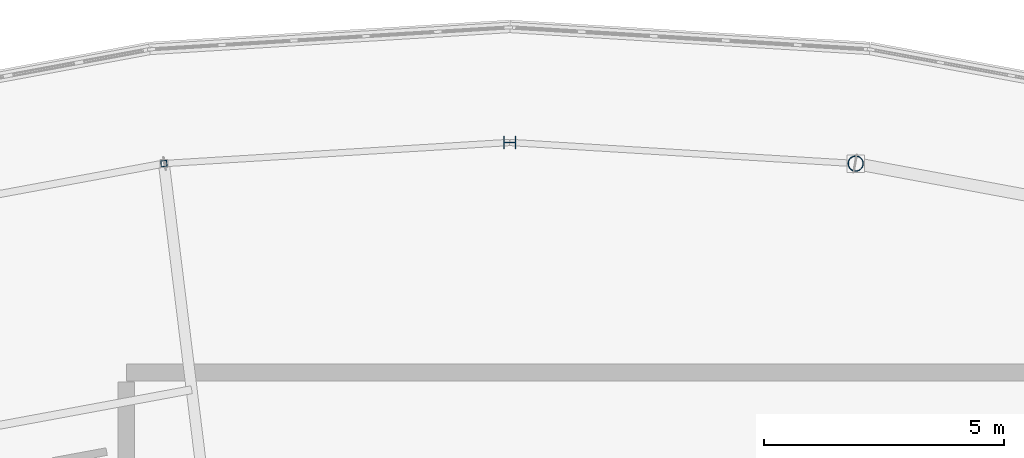
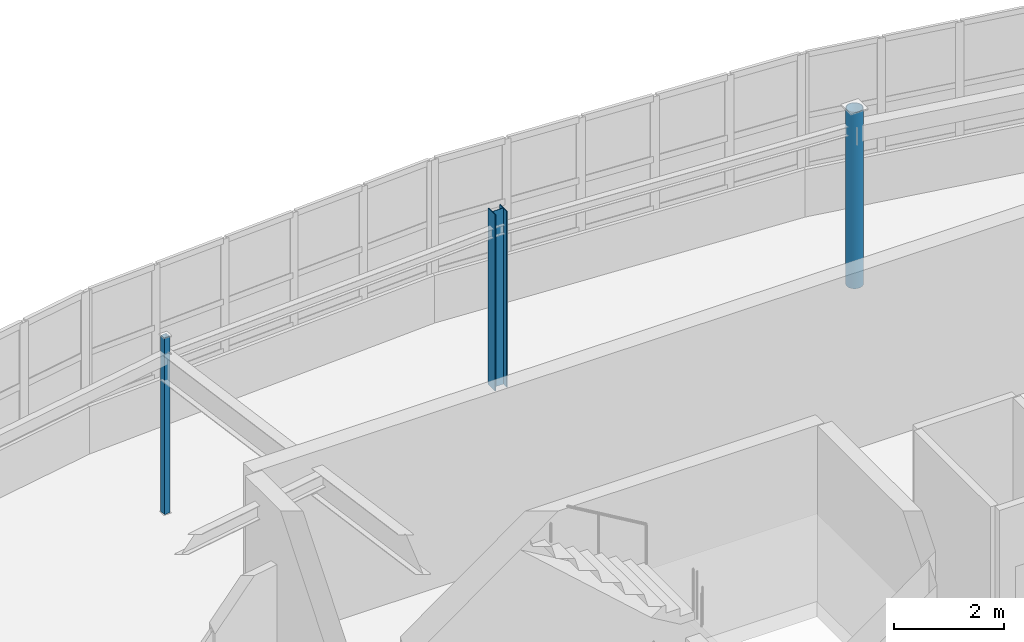
# One storey, part 10 of 65: 3 columns.
"""IFC4 building model written with IfcOpenShell, lengths in metres."""

import ifcopenshell
import ifcopenshell.guid

model = None  # the IFC model being written
_history = None  # IfcOwnerHistory: only IFC2X3 demands one
_inside = {}  # id of a spatial element -> (the spatial element, [elements in it])
_under = {}  # id of a project, library or spatial element -> (it, [spatial elements below it])
_declared = {}  # id of a project -> (the project, [libraries it declares])
_typed = {}  # id of a type object -> (the type object, [elements of that type])
_made_of = {}  # id of a material, layer set ... -> (it, [elements and type objects made of it])


def new_model(schema):
    """Start an empty IFC model of exactly this schema.

    Asked for "IFC4X3", IfcOpenShell would pick the latest addendum, in which some entities
    have other attributes; the version numbers below select the first issue.
    IFC2X3 requires an IfcOwnerHistory on every rooted entity: one is made here for all.
    """
    global model, _history
    if schema == "IFC4X3":
        model = ifcopenshell.file(schema_version=(4, 3, 0, 0))
    else:
        model = ifcopenshell.file(schema=schema)
    _inside.clear()
    _under.clear()
    _declared.clear()
    _typed.clear()
    _made_of.clear()
    _history = None
    if model.schema == "IFC2X3":
        org = make("IfcOrganization", Name="unknown")
        user = make(
            "IfcPersonAndOrganization",
            ThePerson=make("IfcPerson", FamilyName="unknown"),
            TheOrganization=org,
        )
        app = make(
            "IfcApplication",
            ApplicationDeveloper=org,
            Version="unknown",
            ApplicationFullName="unknown",
            ApplicationIdentifier="unknown",
        )
        _history = make(
            "IfcOwnerHistory",
            OwningUser=user,
            OwningApplication=app,
            ChangeAction="ADDED",
            CreationDate=0,
        )
    return model


def make(cls, **values):
    """One entity of the class cls with the attributes given. An attribute that is None is left unset."""
    return model.create_entity(
        cls, **{name: value for name, value in values.items() if value is not None}
    )


def rooted(cls, **values):
    """An entity with a GlobalId (a new one), such as an element, a storey or a relation."""
    return make(cls, GlobalId=ifcopenshell.guid.new(), OwnerHistory=_history, **values)


def si_unit(unit_type, name, prefix=None):
    """IfcSIUnit, for example si_unit("LENGTHUNIT", "METRE", prefix="MILLI")."""
    return make("IfcSIUnit", UnitType=unit_type, Prefix=prefix, Name=name)


def assignment(units):
    """IfcUnitAssignment: the units of a project."""
    return None if units is None else make("IfcUnitAssignment", Units=units)


def point(xyz):
    """IfcCartesianPoint."""
    return None if xyz is None else make("IfcCartesianPoint", Coordinates=xyz)


def direction(xyz):
    """IfcDirection."""
    return None if xyz is None else make("IfcDirection", DirectionRatios=xyz)


def frame(location, z_axis=None, x_axis=None):
    """IfcAxis2Placement3D, a coordinate frame: its origin and axes. An axis left out is left unset."""
    return make(
        "IfcAxis2Placement3D",
        Location=point(location),
        Axis=direction(z_axis),
        RefDirection=direction(x_axis),
    )


def frame_2d(location, x_axis=None):
    """IfcAxis2Placement2D, a coordinate frame in the plane: its origin and x axis."""
    return make(
        "IfcAxis2Placement2D", Location=point(location), RefDirection=direction(x_axis)
    )


def origin():
    """The frame at (0, 0, 0) with its axes left unset."""
    return frame((0.0, 0.0, 0.0))


def origin_2d():
    """The frame at (0, 0) in the plane with its x axis left unset."""
    return frame_2d((0.0, 0.0))


def place(relative_to, where):
    """IfcLocalPlacement: puts the frame where relative to a parent placement (None: the world)."""
    return make(
        "IfcLocalPlacement", PlacementRelTo=relative_to, RelativePlacement=where
    )


def context(
    kind, dimensions, precision=None, world=None, true_north=None, identifier=None
):
    """IfcGeometricRepresentationContext, for example the 3D "Model" context."""
    return make(
        "IfcGeometricRepresentationContext",
        ContextIdentifier=identifier,
        ContextType=kind,
        CoordinateSpaceDimension=dimensions,
        Precision=precision,
        WorldCoordinateSystem=world,
        TrueNorth=true_north,
    )


def subcontext(parent, identifier, kind, view, scale=None):
    """IfcGeometricRepresentationSubContext, for example "Body" below "Model"."""
    return make(
        "IfcGeometricRepresentationSubContext",
        ContextIdentifier=identifier,
        ContextType=kind,
        ParentContext=parent,
        TargetScale=scale,
        TargetView=view,
    )


def project(units=None, contexts=None):
    """IfcProject with its units and contexts."""
    return rooted(
        "IfcProject",
        Name="project",
        RepresentationContexts=contexts,
        UnitsInContext=assignment(units),
    )


def spatial(cls, under=None, at=None, **own):
    """A site, building, storey or space (cls), placed at a placement, below another one or the project."""
    s = rooted(cls, ObjectPlacement=at, **own)
    if under is not None:
        _under.setdefault(under.id(), (under, []))[1].append(s)
    return s


def profile(cls, at=None, kind="AREA", **sizes):
    """A parametric profile (cls). Its sizes go by their IFC names, for example OverallWidth=200.0."""
    return make(cls, ProfileType=kind, Position=at, **sizes)


def hollow_rectangle(**sizes):
    """IfcRectangleHollowProfileDef."""
    return profile("IfcRectangleHollowProfileDef", **sizes)


def hollow_circle(**sizes):
    """IfcCircleHollowProfileDef."""
    return profile("IfcCircleHollowProfileDef", **sizes)


def i_section(**sizes):
    """IfcIShapeProfileDef."""
    return profile("IfcIShapeProfileDef", **sizes)


def extrude(swept, where, along, depth):
    """IfcExtrudedAreaSolid: the profile swept, set in the frame where, extruded along a direction by depth."""
    return make(
        "IfcExtrudedAreaSolid",
        SweptArea=swept,
        Position=where,
        ExtrudedDirection=direction(along),
        Depth=depth,
    )


def shape(context_of_items, identifier, shape_type, items):
    """IfcShapeRepresentation: the items that make up one representation, for example the "Body"."""
    return make(
        "IfcShapeRepresentation",
        ContextOfItems=context_of_items,
        RepresentationIdentifier=identifier,
        RepresentationType=shape_type,
        Items=items,
    )


def material(Name=None, Category=None):
    """IfcMaterial."""
    return make("IfcMaterial", Name=Name, Category=Category)


def material_profile(
    of_material, cross_section, Name=None, Category=None, Priority=None
):
    """IfcMaterialProfile: a cross section and its material."""
    return make(
        "IfcMaterialProfile",
        Name=Name,
        Material=of_material,
        Profile=cross_section,
        Priority=Priority,
        Category=Category,
    )


def profile_set(profiles, Name=None, composite=None):
    """IfcMaterialProfileSet."""
    return make(
        "IfcMaterialProfileSet",
        Name=Name,
        MaterialProfiles=profiles,
        CompositeProfile=composite,
    )


def made_of(thing, what):
    """Note that an element or type object is made of a material, layer set ...; save() writes the relation."""
    if what is not None:
        _made_of.setdefault(what.id(), (what, []))[1].append(thing)
    return thing


def type_object(cls, material=None, **own):
    """A type object (cls), such as IfcWallType, which elements share."""
    return made_of(rooted(cls, **own), material)


def element(
    cls,
    number,
    at=None,
    inside=None,
    cuts=None,
    type_object=None,
    material=None,
    context=None,
    identifier="Body",
    shape_type=None,
    held_by="IfcProductDefinitionShape",
    body=None,
    shapes=None,
    **own,
):
    """One element of the class cls, such as IfcWall. Its Tag is "e" and its number.

    at: its placement. inside: the storey or other place that contains it. cuts: it is an
    opening in that element (IfcRelVoidsElement). A single representation is given by context,
    identifier, shape_type and body (its items); several are given by shapes. held_by: the class
    of the entity that holds the representations. save() writes the other relations.
    """
    e = rooted(cls, Tag="e%d" % number, ObjectPlacement=at, **own)
    if body is not None:
        shapes = [shape(context, identifier, shape_type, body)]
    if shapes is not None:
        e.Representation = make(held_by, Representations=shapes)
    if inside is not None:
        _inside.setdefault(inside.id(), (inside, []))[1].append(e)
    if cuts is not None:
        rooted(
            "IfcRelVoidsElement", RelatingBuildingElement=cuts, RelatedOpeningElement=e
        )
    if type_object is not None:
        _typed.setdefault(type_object.id(), (type_object, []))[1].append(e)
    return made_of(e, material)


def aggregate(whole, parts):
    """IfcRelAggregates: a whole, such as a stair, and the parts it consists of."""
    return rooted("IfcRelAggregates", RelatingObject=whole, RelatedObjects=parts)


def save(model, path):
    """Write the relations noted so far, then the file.

    IfcRelAggregates (storeys below a building ...), IfcRelContainedInSpatialStructure (elements
    in a storey), IfcRelDefinesByType, IfcRelAssociatesMaterial and IfcRelDeclares: one each for
    every whole, place, type object, material and project.
    """
    for whole, parts in _under.values():
        aggregate(whole, parts)
    for where, things in _inside.values():
        rooted(
            "IfcRelContainedInSpatialStructure",
            RelatedElements=things,
            RelatingStructure=where,
        )
    for kind, things in _typed.values():
        rooted("IfcRelDefinesByType", RelatedObjects=things, RelatingType=kind)
    for what, things in _made_of.values():
        rooted("IfcRelAssociatesMaterial", RelatedObjects=things, RelatingMaterial=what)
    for by, libraries in _declared.values():
        rooted("IfcRelDeclares", RelatingContext=by, RelatedDefinitions=libraries)
    model.write(path)


model = new_model("IFC4")

# Units and contexts
model_context = context("Model", 3, precision=1e-05, world=origin(), true_north=direction((0.0, 1.0)))
body_context = subcontext(model_context, "Body", "Model", "MODEL_VIEW")
ifc_project = project(units=[si_unit("LENGTHUNIT", "METRE"), si_unit("AREAUNIT", "SQUARE_METRE"), si_unit("VOLUMEUNIT", "CUBIC_METRE"), si_unit("PLANEANGLEUNIT", "RADIAN"), si_unit("MASSUNIT", "GRAM", prefix="KILO")], contexts=[model_context])

# Site, building, storey
site_placement = place(None, origin())
site = spatial("IfcSite", under=ifc_project, at=site_placement, CompositionType="ELEMENT")
building_placement = place(site_placement, origin())
building = spatial("IfcBuilding", under=site, at=building_placement, Name="Tarnwether General Hospital", CompositionType="ELEMENT")
storey_placement = place(building_placement, frame((0.0, 0.0, 22.199951171875)))
storey = spatial("IfcBuildingStorey", under=building, at=storey_placement, Name="L05", CompositionType="ELEMENT", Elevation=22.199951171875)

# Columns
ifc_material_1 = material(Name="Steel Grade 350 (350 MPa)", Category="steel")
ifc_material_profile_1 = material_profile(ifc_material_1, i_section(OverallWidth=0.25390625, OverallDepth=0.25390625, WebThickness=0.008544921875, FlangeThickness=0.01416015625, at=origin_2d()), Name="250UC72.9")
ifc_profile_set_1 = profile_set([ifc_material_profile_1], Name="Steel Grade 350 (350 MPa)")
column_type_1 = type_object("IfcColumnType", Name="COL-24", PredefinedType="COLUMN", material=ifc_profile_set_1)
column_1_placement = place(storey_placement, frame((92.0, 122.199951171875, 0.0), z_axis=(0.0, 0.0, 1.0), x_axis=(0.0, 1.0, 0.0)))
element("IfcColumn", 1, at=column_1_placement, inside=storey, type_object=column_type_1, Name="Column COLG-L05-9200_12220", PredefinedType="COLUMN", context=body_context, shape_type="SweptSolid", body=[
    extrude(i_section(OverallWidth=0.25390625, OverallDepth=0.25390625, WebThickness=0.008544921875, FlangeThickness=0.01416015625, at=origin_2d()), origin(), (0.0, 0.0, 1.0), 3.900146484375),
])
ifc_material_2 = material(Name="Steel Grade C350L0 (350 MPa)", Category="steel")
ifc_material_profile_2 = material_profile(ifc_material_2, hollow_circle(Radius=0.161865234375, WallThickness=0.0126953125, at=origin_2d()), Name="CHS323.9x12.7")
ifc_profile_set_2 = profile_set([ifc_material_profile_2], Name="Steel Grade C350L0 (350 MPa)")
column_type_2 = type_object("IfcColumnType", Name="COL-26", PredefinedType="COLUMN", material=ifc_profile_set_2)
column_2_placement = place(storey_placement, frame((99.215087890625, 121.759033203125, 0.0), z_axis=(0.0, 0.0, 1.0), x_axis=(0.121869343405, 0.992546151641, 0.0)))
element("IfcColumn", 2, at=column_2_placement, inside=storey, type_object=column_type_2, Name="Column COLG-L05-9922_12176", PredefinedType="COLUMN", context=body_context, shape_type="SweptSolid", body=[
    extrude(hollow_circle(Radius=0.161865234375, WallThickness=0.0126953125, at=origin_2d()), origin(), (0.0, 0.0, 1.0), 3.900146484375),
])
ifc_material_3 = material(Name="Steel Grade C350L0 (350 MPa)", Category="steel")
ifc_material_profile_3 = material_profile(ifc_material_3, hollow_rectangle(XDim=0.125, YDim=0.125, WallThickness=0.006103515625, at=origin_2d()), Name="SHS125x125x6")
ifc_profile_set_3 = profile_set([ifc_material_profile_3], Name="Steel Grade C350L0 (350 MPa)")
column_type_3 = type_object("IfcColumnType", Name="COL-34", PredefinedType="COLUMN", material=ifc_profile_set_3)
column_3_placement = place(storey_placement, frame((84.784912109375, 121.759033203125, 0.0), z_axis=(0.0, 0.0, 1.0), x_axis=(-0.121869343405, 0.992546151641, 0.0)))
element("IfcColumn", 3, at=column_3_placement, inside=storey, type_object=column_type_3, Name="Column COLG-L05-8478_12176", PredefinedType="COLUMN", context=body_context, shape_type="SweptSolid", body=[
    extrude(hollow_rectangle(XDim=0.125, YDim=0.125, WallThickness=0.006103515625, at=origin_2d()), origin(), (0.0, 0.0, 1.0), 3.900146484375),
])

save(model, "model.ifc")
